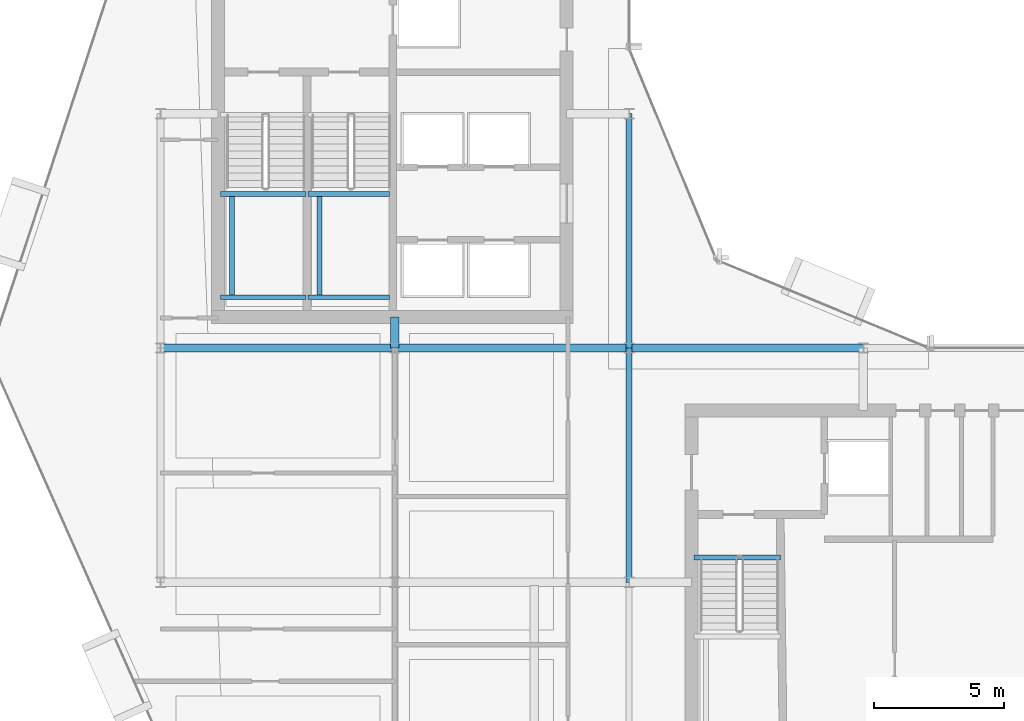
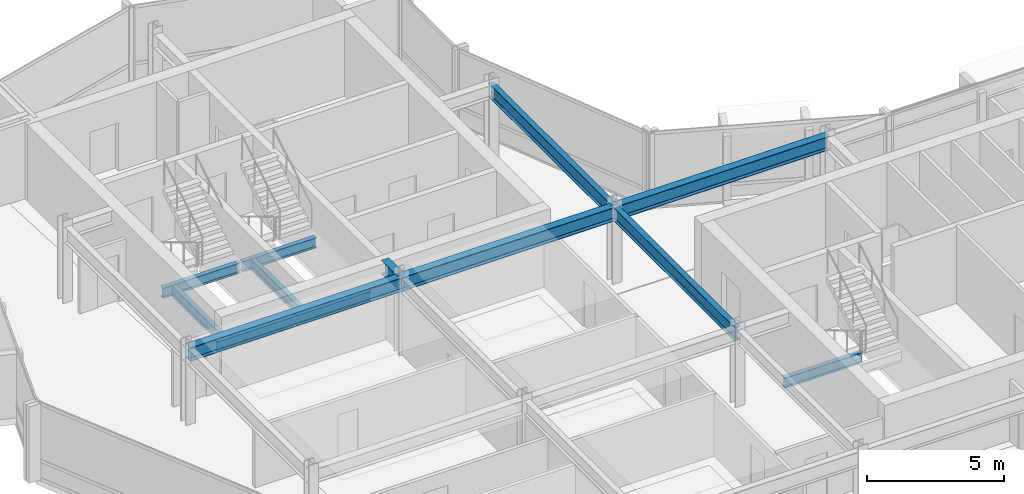
# One storey, part 7 of 28: 13 beams.
"""IFC4 building model written with IfcOpenShell, lengths in metres."""

from ifc_helpers import new_model, si_unit, direction, frame, origin, origin_2d, place, context, subcontext, project, spatial, i_section, extrude, material, material_profile, profile_set, type_object, element, save


model = new_model("IFC4")

# Units and contexts
model_context = context("Model", 3, precision=1e-05, world=origin(), true_north=direction((0.0, 1.0)))
body_context = subcontext(model_context, "Body", "Model", "MODEL_VIEW")
ifc_project = project(units=[si_unit("LENGTHUNIT", "METRE"), si_unit("AREAUNIT", "SQUARE_METRE"), si_unit("VOLUMEUNIT", "CUBIC_METRE"), si_unit("PLANEANGLEUNIT", "RADIAN"), si_unit("MASSUNIT", "GRAM", prefix="KILO")], contexts=[model_context])

# Site, building, storey
site_placement = place(None, origin())
site = spatial("IfcSite", under=ifc_project, at=site_placement, CompositionType="ELEMENT")
building_placement = place(site_placement, origin())
building = spatial("IfcBuilding", under=site, at=building_placement, Name="Solvaryn Broadcast Tower", CompositionType="ELEMENT")
storey_placement = place(building_placement, frame((0.0, 0.0, 209.89990234375)))
storey = spatial("IfcBuildingStorey", under=building, at=storey_placement, Name="L52", CompositionType="ELEMENT", Elevation=209.89990234375)

# Beams
ifc_material_1 = material(Name="Steel ASTM A992 Grade 50", Category="steel")
ifc_material_profile_1 = material_profile(ifc_material_1, i_section(OverallWidth=0.323974609375, OverallDepth=0.611083984375, WebThickness=0.0126953125, FlangeThickness=0.01904296875, FilletRadius=0.014892578125, at=origin_2d()))
ifc_profile_set_1 = profile_set([ifc_material_profile_1], Name="Steel ASTM A992 Grade 50")
beam_type_1 = type_object("IfcBeamType", Name="BM-B1-W24X104", PredefinedType="BEAM", material=ifc_profile_set_1)
for number, where, z_axis, x_axis, name in (
    (1, (9.0, 27.0, 3.114501953125), (1.0, 0.0, 0.0), (0.0, 1.0, 0.0), "L52 Primary Beam X (9-18 @ Y=27)"),
    (2, (18.0, 27.0, 3.114501953125), (1.0, 0.0, 0.0), (0.0, 1.0, 0.0), "L52 Primary Beam X (18-27 @ Y=27)"),
    (3, (27.0, 27.0, 3.114501953125), (1.0, 0.0, 0.0), (0.0, 1.0, 0.0), "L52 Primary Beam X (27-36 @ Y=27)"),
):
    element("IfcBeam", number, at=place(storey_placement, frame(where, z_axis=z_axis, x_axis=x_axis)), inside=storey, type_object=beam_type_1, Name=name, PredefinedType="BEAM", context=body_context, shape_type="SweptSolid", body=[
        extrude(i_section(OverallWidth=0.323974609375, OverallDepth=0.611083984375, WebThickness=0.0126953125, FlangeThickness=0.01904296875, FilletRadius=0.014892578125, at=origin_2d()), origin(), (0.0, 0.0, 1.0), 9.0),
    ])
beam_1_placement = place(storey_placement, frame((18.0, 27.0, 3.114501953125), z_axis=(0.0, 1.0, 0.0), x_axis=(-1.0, 0.0, 0.0)))
element("IfcBeam", 4, at=beam_1_placement, inside=storey, type_object=beam_type_1, Name="L52 Core Tie Beam CTW4", PredefinedType="BEAM", context=body_context, shape_type="SweptSolid", body=[
    extrude(i_section(OverallWidth=0.323974609375, OverallDepth=0.611083984375, WebThickness=0.0126953125, FlangeThickness=0.01904296875, FilletRadius=0.014892578125, at=origin_2d()), origin(), (0.0, 0.0, 1.0), 1.199951171875),
])
ifc_material_2 = material(Name="Steel ASTM A992 Grade 50", Category="steel")
ifc_material_profile_2 = material_profile(ifc_material_2, i_section(OverallWidth=0.22802734375, OverallDepth=0.60791015625, WebThickness=0.01123046875, FlangeThickness=0.017333984375, FilletRadius=0.014892578125, at=origin_2d()))
ifc_profile_set_2 = profile_set([ifc_material_profile_2], Name="Steel ASTM A992 Grade 50")
beam_type_2 = type_object("IfcBeamType", Name="BM-B2-W24X76", PredefinedType="BEAM", material=ifc_profile_set_2)
for number, where, z_axis, x_axis, name in (
    (5, (27.0, 18.0, 3.1162109375), (0.0, 1.0, 0.0), (-1.0, 0.0, 0.0), "L52 Primary Beam Y (18-27 @ X=27)"),
    (6, (27.0, 27.0, 3.1162109375), (0.0, 1.0, 0.0), (-1.0, 0.0, 0.0), "L52 Primary Beam Y (27-36 @ X=27)"),
):
    element("IfcBeam", number, at=place(storey_placement, frame(where, z_axis=z_axis, x_axis=x_axis)), inside=storey, type_object=beam_type_2, Name=name, PredefinedType="BEAM", context=body_context, shape_type="SweptSolid", body=[
        extrude(i_section(OverallWidth=0.22802734375, OverallDepth=0.60791015625, WebThickness=0.01123046875, FlangeThickness=0.017333984375, FilletRadius=0.014892578125, at=origin_2d()), origin(), (0.0, 0.0, 1.0), 9.0),
    ])
ifc_material_3 = material(Name="Steel ASTM A992 Grade 50", Category="steel")
ifc_material_profile_3 = material_profile(ifc_material_3, i_section(OverallWidth=0.18994140625, OverallDepth=0.45703125, WebThickness=0.009033203125, FlangeThickness=0.014404296875, FilletRadius=0.011962890625, at=origin_2d()))
ifc_profile_set_3 = profile_set([ifc_material_profile_3], Name="Steel ASTM A992 Grade 50")
beam_type_3 = type_object("IfcBeamType", Name="BM-B4-W18X50", PredefinedType="BEAM", material=ifc_profile_set_3)
for number, where, z_axis, x_axis, name in (
    (7, (11.300048828125, 28.949951171875, 1.421630859375), (1.0, 0.0, 0.0), (0.0, 1.0, 0.0), "L52 ST1 Landing Support Beam 1A"),
    (8, (11.300048828125, 32.909912109375, 1.421630859375), (1.0, 0.0, 0.0), (0.0, 1.0, 0.0), "L52 ST1 Landing Support Beam 1B"),
):
    element("IfcBeam", number, at=place(storey_placement, frame(where, z_axis=z_axis, x_axis=x_axis)), inside=storey, type_object=beam_type_3, Name=name, PredefinedType="BEAM", context=body_context, shape_type="SweptSolid", body=[
        extrude(i_section(OverallWidth=0.18994140625, OverallDepth=0.45703125, WebThickness=0.009033203125, FlangeThickness=0.014404296875, FilletRadius=0.011962890625, at=origin_2d()), origin(), (0.0, 0.0, 1.0), 3.280029296875),
    ])
beam_2_placement = place(storey_placement, frame((11.75, 28.949951171875, 1.421630859375), z_axis=(0.0, 1.0, 0.0), x_axis=(-1.0, 0.0, 0.0)))
element("IfcBeam", 9, at=beam_2_placement, inside=storey, type_object=beam_type_3, Name="L52 ST1 Landing Cross Stringer 1C", PredefinedType="BEAM", context=body_context, shape_type="SweptSolid", body=[
    extrude(i_section(OverallWidth=0.18994140625, OverallDepth=0.45703125, WebThickness=0.009033203125, FlangeThickness=0.014404296875, FilletRadius=0.011962890625, at=origin_2d()), origin(), (0.0, 0.0, 1.0), 3.9599609375),
])
for number, where, z_axis, x_axis, name in (
    (10, (14.659912109375, 28.949951171875, 1.421630859375), (1.0, 0.0, 0.0), (0.0, 1.0, 0.0), "L52 ST2 Landing Support Beam 1A"),
    (11, (14.659912109375, 32.909912109375, 1.421630859375), (1.0, 0.0, 0.0), (0.0, 1.0, 0.0), "L52 ST2 Landing Support Beam 1B"),
):
    element("IfcBeam", number, at=place(storey_placement, frame(where, z_axis=z_axis, x_axis=x_axis)), inside=storey, type_object=beam_type_3, Name=name, PredefinedType="BEAM", context=body_context, shape_type="SweptSolid", body=[
        extrude(i_section(OverallWidth=0.18994140625, OverallDepth=0.45703125, WebThickness=0.009033203125, FlangeThickness=0.014404296875, FilletRadius=0.011962890625, at=origin_2d()), origin(), (0.0, 0.0, 1.0), 3.14013671875),
    ])
beam_3_placement = place(storey_placement, frame((15.110107421875, 28.949951171875, 1.421630859375), z_axis=(0.0, 1.0, 0.0), x_axis=(-1.0, 0.0, 0.0)))
element("IfcBeam", 12, at=beam_3_placement, inside=storey, type_object=beam_type_3, Name="L52 ST2 Landing Cross Stringer 1C", PredefinedType="BEAM", context=body_context, shape_type="SweptSolid", body=[
    extrude(i_section(OverallWidth=0.18994140625, OverallDepth=0.45703125, WebThickness=0.009033203125, FlangeThickness=0.014404296875, FilletRadius=0.011962890625, at=origin_2d()), origin(), (0.0, 0.0, 1.0), 3.9599609375),
])
beam_4_placement = place(storey_placement, frame((29.5, 18.9599609375, -0.50830078125), z_axis=(1.0, 0.0, 0.0), x_axis=(0.0, 1.0, 0.0)))
element("IfcBeam", 13, at=beam_4_placement, inside=storey, type_object=beam_type_3, Name="L52 ST3 Stair Well Trimmer Beam", PredefinedType="BEAM", context=body_context, shape_type="SweptSolid", body=[
    extrude(i_section(OverallWidth=0.18994140625, OverallDepth=0.45703125, WebThickness=0.009033203125, FlangeThickness=0.014404296875, FilletRadius=0.011962890625, at=origin_2d()), origin(), (0.0, 0.0, 1.0), 3.320068359375),
])

save(model, "model.ifc")
